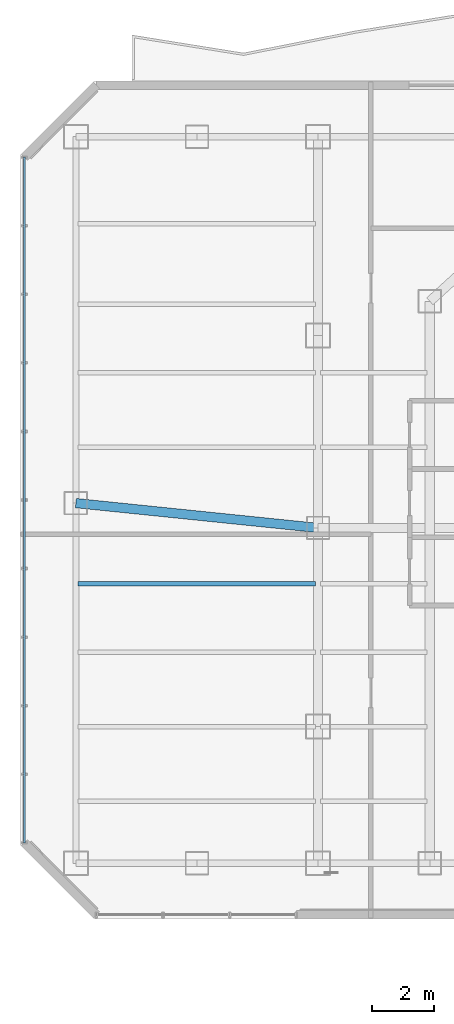
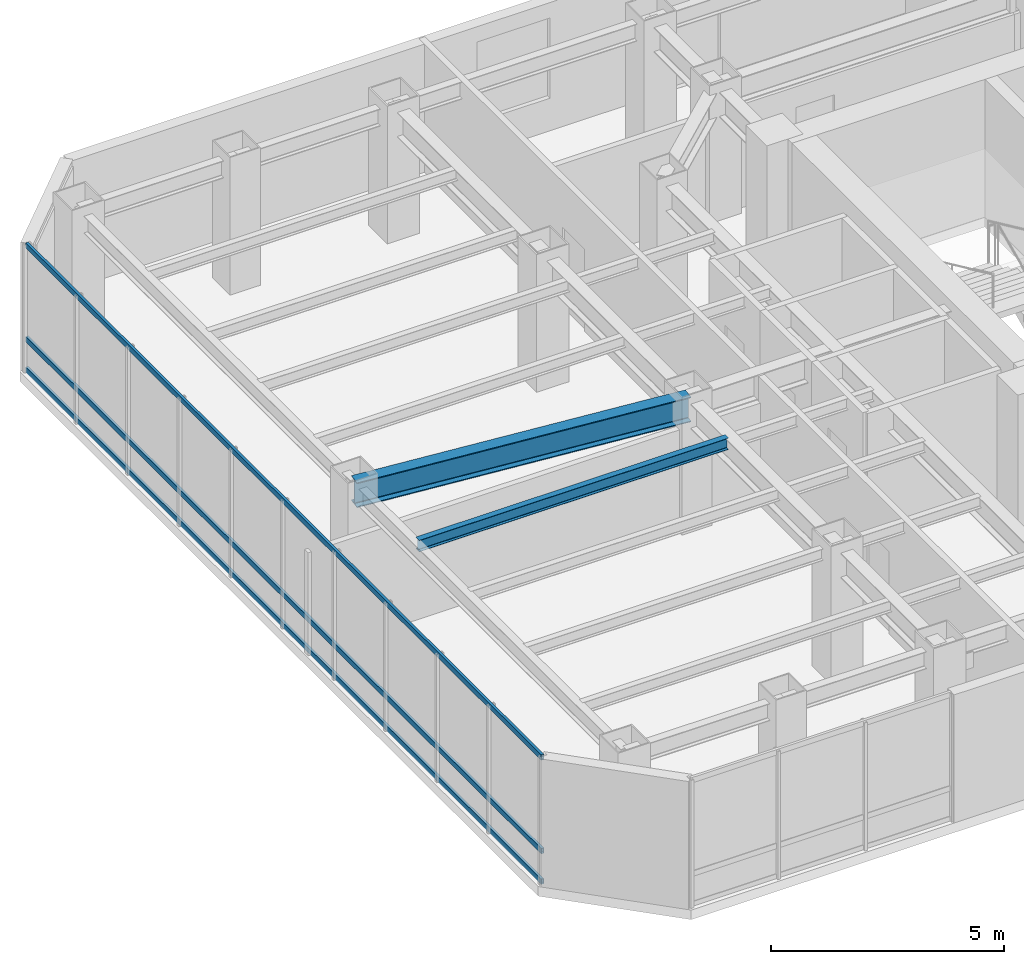
# One storey, part 7 of 27: 3 members, 2 beams, 1 element without a shape of its own.
"""IFC4 building model written with IfcOpenShell, lengths in metres."""

from ifc_helpers import new_model, si_unit, direction, frame, origin, origin_2d, place, context, subcontext, project, spatial, hollow_rectangle, i_section, extrude, material, layer, layer_set, material_profile, profile_set, type_object, element, aggregate, save


model = new_model("IFC4")

# Units and contexts
model_context = context("Model", 3, precision=1e-05, world=origin(), true_north=direction((0.0, 1.0)))
body_context = subcontext(model_context, "Body", "Model", "MODEL_VIEW")
ifc_project = project(units=[si_unit("LENGTHUNIT", "METRE"), si_unit("AREAUNIT", "SQUARE_METRE"), si_unit("VOLUMEUNIT", "CUBIC_METRE"), si_unit("PLANEANGLEUNIT", "RADIAN"), si_unit("MASSUNIT", "GRAM", prefix="KILO")], contexts=[model_context])

# Site, building, storey
site_placement = place(None, origin())
site = spatial("IfcSite", under=ifc_project, at=site_placement, CompositionType="ELEMENT")
building_placement = place(site_placement, origin())
building = spatial("IfcBuilding", under=site, at=building_placement, Name="Hatsunagi Terrace Concourse", CompositionType="ELEMENT")
storey_placement = place(building_placement, frame((0.0, 0.0, 174.449951171875)))
storey = spatial("IfcBuildingStorey", under=building, at=storey_placement, Name="L46", CompositionType="ELEMENT", Elevation=174.449951171875)

# Curtain wall, members
ifc_material_1 = material(Name="Anodised Aluminium Alloy 6063-T5", Category="aluminium")
ifc_layer = layer(ifc_material_1, 0.199951171875)
ifc_layer_set = layer_set([ifc_layer], Name="OfficeZone1_CW03")
curtain_wall_type = type_object("IfcCurtainWallType", Name="OfficeZone1_CW03", PredefinedType="NOTDEFINED", material=ifc_layer_set)
curtain_wall_placement = place(storey_placement, origin())
curtain_wall = element("IfcCurtainWall", 1, at=curtain_wall_placement, inside=storey, type_object=curtain_wall_type, Name="Unitised Curtain Wall CW-03 CW-L46-09", PredefinedType="NOTDEFINED")
ifc_material_2 = material(Name="Anodised Aluminium Alloy 6063-T5", Category="aluminium")
ifc_material_profile_1 = material_profile(ifc_material_2, hollow_rectangle(XDim=0.06494140625, YDim=0.139892578125, WallThickness=0.00390625, at=origin_2d()), Name="ALU-TRN-140x65x4")
ifc_profile_set_1 = profile_set([ifc_material_profile_1], Name="Anodised Aluminium Alloy 6063-T5")
member_type = type_object("IfcMemberType", Name="CurtainWallTransom_140x65", PredefinedType="USERDEFINED", material=ifc_profile_set_1)
member_1_placement = place(storey_placement, frame((9.739990234375, 25.85791015625, 0.050048828125), z_axis=(0.0, 1.0, 0.0), x_axis=(-1.0, 0.0, 0.0)))
member_1 = element("IfcMember", 2, at=member_1_placement, type_object=member_type, Name="Curtain Wall Transom TRN-02", ObjectType="TRANSOM", PredefinedType="USERDEFINED", context=body_context, shape_type="SweptSolid", body=[
    extrude(hollow_rectangle(XDim=0.06494140625, YDim=0.139892578125, WallThickness=0.00390625, at=origin_2d()), origin(), (0.0, 0.0, 1.0), 22.083984375),
])
member_2_placement = place(storey_placement, frame((9.739990234375, 25.85791015625, 0.85009765625), z_axis=(0.0, 1.0, 0.0), x_axis=(-1.0, 0.0, 0.0)))
member_2 = element("IfcMember", 3, at=member_2_placement, type_object=member_type, Name="Curtain Wall Transom TRN-02", ObjectType="TRANSOM", PredefinedType="USERDEFINED", context=body_context, shape_type="SweptSolid", body=[
    extrude(hollow_rectangle(XDim=0.06494140625, YDim=0.139892578125, WallThickness=0.00390625, at=origin_2d()), origin(), (0.0, 0.0, 1.0), 22.083984375),
])
member_3_placement = place(storey_placement, frame((9.739990234375, 25.85791015625, 3.300048828125), z_axis=(0.0, 1.0, 0.0), x_axis=(-1.0, 0.0, 0.0)))
member_3 = element("IfcMember", 4, at=member_3_placement, type_object=member_type, Name="Curtain Wall Transom TRN-02", ObjectType="TRANSOM", PredefinedType="USERDEFINED", context=body_context, shape_type="SweptSolid", body=[
    extrude(hollow_rectangle(XDim=0.06494140625, YDim=0.139892578125, WallThickness=0.00390625, at=origin_2d()), origin(), (0.0, 0.0, 1.0), 22.083984375),
])
aggregate(curtain_wall, [member_1, member_2, member_3])

# Beams
ifc_material_3 = material(Name="Steel SN490B", Category="steel")
ifc_material_profile_2 = material_profile(ifc_material_3, i_section(OverallWidth=0.14990234375, OverallDepth=0.300048828125, WebThickness=0.006591796875, FlangeThickness=0.009033203125, FilletRadius=0.010986328125, at=origin_2d()), Name="H-300x150x6.5x9")
ifc_profile_set_2 = profile_set([ifc_material_profile_2], Name="Steel SN490B")
beam_type_1 = type_object("IfcBeamType", Name="OfficeJoist_H_300x150", PredefinedType="JOIST", material=ifc_profile_set_2)
beam_1_placement = place(storey_placement, frame((11.465087890625, 34.199951171875, 3.199951171875), z_axis=(1.0, 0.0, 0.0), x_axis=(0.0, 1.0, 0.0)))
element("IfcBeam", 5, at=beam_1_placement, inside=storey, type_object=beam_type_1, Name="Beam J-03 J-L46-W-11-342", PredefinedType="JOIST", context=body_context, shape_type="SweptSolid", body=[
    extrude(i_section(OverallWidth=0.14990234375, OverallDepth=0.300048828125, WebThickness=0.006591796875, FlangeThickness=0.009033203125, FilletRadius=0.010986328125, at=origin_2d()), origin(), (0.0, 0.0, 1.0), 7.64990234375),
])
ifc_material_4 = material(Name="Steel SN490B", Category="steel")
ifc_material_profile_3 = material_profile(ifc_material_4, i_section(OverallWidth=0.300048828125, OverallDepth=0.64990234375, WebThickness=0.012939453125, FlangeThickness=0.02197265625, FilletRadius=0.01806640625, at=origin_2d()), Name="H-650x300x13x22")
ifc_profile_set_3 = profile_set([ifc_material_profile_3], Name="Steel SN490B")
beam_type_2 = type_object("IfcBeamType", Name="OfficeLowGirder_H_650x300", PredefinedType="BEAM", material=ifc_profile_set_3)
beam_2_placement = place(storey_placement, frame((11.39990234375, 36.800048828125, 3.025146484375), z_axis=(0.994780871372, -0.102034395927, 0.0), x_axis=(0.102034395927, 0.994780871372, 0.0)))
element("IfcBeam", 6, at=beam_2_placement, inside=storey, type_object=beam_type_2, Name="Beam G-05 BM-L46-EW-2", PredefinedType="BEAM", context=body_context, shape_type="SweptSolid", body=[
    extrude(i_section(OverallWidth=0.300048828125, OverallDepth=0.64990234375, WebThickness=0.012939453125, FlangeThickness=0.02197265625, FilletRadius=0.01806640625, at=origin_2d()), origin(), (0.0, 0.0, 1.0), 7.841064453125),
])

save(model, "model.ifc")
